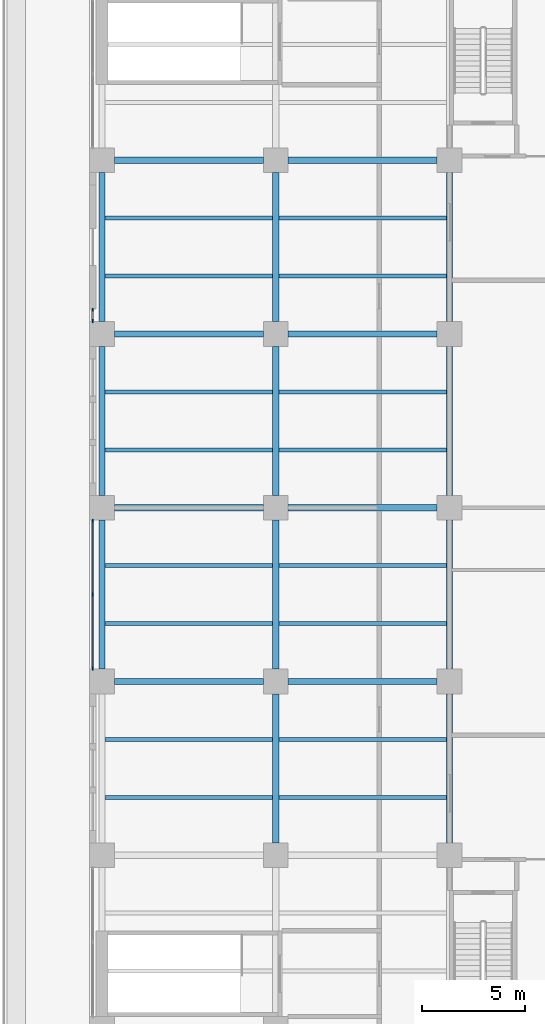
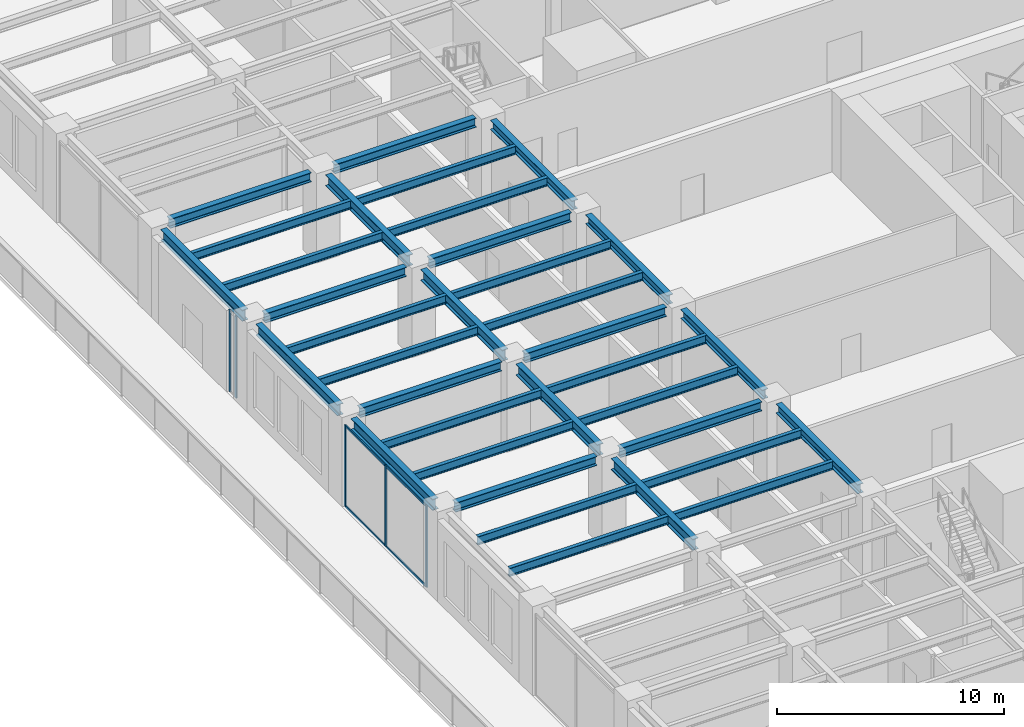
# One storey, part 7 of 53: 35 beams, 9 members, 2 elements without a shape of their own.
"""IFC4 building model written with IfcOpenShell, lengths in metres."""

from ifc_helpers import new_model, si_unit, direction, frame, origin, origin_2d, place, context, subcontext, project, spatial, rectangle, i_section, extrude, material, material_profile, profile_set, type_object, element, aggregate, save


model = new_model("IFC4")

# Units and contexts
model_context = context("Model", 3, precision=1e-05, world=origin(), true_north=direction((0.0, 1.0)))
body_context = subcontext(model_context, "Body", "Model", "MODEL_VIEW")
ifc_project = project(units=[si_unit("LENGTHUNIT", "METRE"), si_unit("AREAUNIT", "SQUARE_METRE"), si_unit("VOLUMEUNIT", "CUBIC_METRE"), si_unit("PLANEANGLEUNIT", "RADIAN"), si_unit("MASSUNIT", "GRAM", prefix="KILO")], contexts=[model_context])

# Site, building, storey
site_placement = place(None, origin())
site = spatial("IfcSite", under=ifc_project, at=site_placement, CompositionType="ELEMENT")
building_placement = place(site_placement, origin())
building = spatial("IfcBuilding", under=site, at=building_placement, Name="Khepri Terraces", CompositionType="ELEMENT")
storey_placement = place(building_placement, frame((0.0, 0.0, 7.199951171875)))
storey = spatial("IfcBuildingStorey", under=building, at=storey_placement, Name="L01", CompositionType="ELEMENT", Elevation=7.199951171875)

# Curtain wall, members
ifc_material_1 = material(Name="Anodised aluminium bronze curtain wall", Category="aluminium")
curtain_wall_type = type_object("IfcCurtainWallType", Name="CW-SYS2-PODIUM", PredefinedType="NOTDEFINED", material=ifc_material_1)
curtain_wall_1_placement = place(storey_placement, origin())
curtain_wall_1 = element("IfcCurtainWall", 1, at=curtain_wall_1_placement, inside=storey, type_object=curtain_wall_type, Name="Curtain wall CW2 L01 W", PredefinedType="NOTDEFINED")
ifc_material_2 = material(Name="Anodised aluminium bronze", Category="aluminium")
ifc_material_profile_1 = material_profile(ifc_material_2, rectangle(XDim=0.06005859375, YDim=0.159912109375, at=origin_2d()), Name="Anodised aluminium bronze", Category="aluminium")
ifc_profile_set_1 = profile_set([ifc_material_profile_1], Name="Anodised aluminium bronze")
member_type_1 = type_object("IfcMemberType", Name="CW-MULLION-60x160", PredefinedType="MULLION", material=ifc_profile_set_1)
member_1_placement = place(storey_placement, frame((-42.449951171875, 9.570068359375, 0.0), z_axis=(0.0, 0.0, 1.0), x_axis=(1.0, 0.0, 0.0)))
member_1 = element("IfcMember", 2, at=member_1_placement, type_object=member_type_1, Name="CW2 mullion 1", PredefinedType="MULLION", context=body_context, shape_type="SweptSolid", body=[
    extrude(rectangle(XDim=0.06005859375, YDim=0.159912109375, at=origin_2d()), origin(), (0.0, 0.0, 1.0), 4.380126953125),
])
member_2_placement = place(storey_placement, frame((-42.449951171875, 9.030029296875, 0.0), z_axis=(0.0, 0.0, 1.0), x_axis=(1.0, 0.0, 0.0)))
member_2 = element("IfcMember", 3, at=member_2_placement, type_object=member_type_1, Name="CW2 mullion 2", PredefinedType="MULLION", context=body_context, shape_type="SweptSolid", body=[
    extrude(rectangle(XDim=0.06005859375, YDim=0.159912109375, at=origin_2d()), origin(), (0.0, 0.0, 1.0), 4.380126953125),
])
aggregate(curtain_wall_1, [member_1, member_2])

curtain_wall_2_placement = place(storey_placement, origin())
curtain_wall_2 = element("IfcCurtainWall", 4, at=curtain_wall_2_placement, inside=storey, type_object=curtain_wall_type, Name="Curtain wall CW2 L01 W", PredefinedType="NOTDEFINED")
member_3_placement = place(storey_placement, frame((-42.449951171875, -0.6298828125, 0.0), z_axis=(0.0, 0.0, 1.0), x_axis=(1.0, 0.0, 0.0)))
member_3 = element("IfcMember", 5, at=member_3_placement, type_object=member_type_1, Name="CW2 mullion 1", PredefinedType="MULLION", context=body_context, shape_type="SweptSolid", body=[
    extrude(rectangle(XDim=0.06005859375, YDim=0.159912109375, at=origin_2d()), origin(), (0.0, 0.0, 1.0), 4.380126953125),
])
member_4_placement = place(storey_placement, frame((-42.449951171875, -4.199951171875, 0.0), z_axis=(0.0, 0.0, 1.0), x_axis=(1.0, 0.0, 0.0)))
member_4 = element("IfcMember", 6, at=member_4_placement, type_object=member_type_1, Name="CW2 mullion 2", PredefinedType="MULLION", context=body_context, shape_type="SweptSolid", body=[
    extrude(rectangle(XDim=0.06005859375, YDim=0.159912109375, at=origin_2d()), origin(), (0.0, 0.0, 1.0), 4.380126953125),
])
member_5_placement = place(storey_placement, frame((-42.449951171875, -7.77001953125, 0.0), z_axis=(0.0, 0.0, 1.0), x_axis=(1.0, 0.0, 0.0)))
member_5 = element("IfcMember", 7, at=member_5_placement, type_object=member_type_1, Name="CW2 mullion 3", PredefinedType="MULLION", context=body_context, shape_type="SweptSolid", body=[
    extrude(rectangle(XDim=0.06005859375, YDim=0.159912109375, at=origin_2d()), origin(), (0.0, 0.0, 1.0), 4.380126953125),
])
ifc_material_profile_2 = material_profile(ifc_material_2, rectangle(XDim=0.06005859375, YDim=0.1201171875, at=origin_2d()), Name="Anodised aluminium bronze", Category="aluminium")
ifc_profile_set_2 = profile_set([ifc_material_profile_2], Name="Anodised aluminium bronze")
member_type_2 = type_object("IfcMemberType", Name="CW-TRANSOM-60x120", PredefinedType="USERDEFINED", material=ifc_profile_set_2)
member_6_placement = place(storey_placement, frame((-42.449951171875, -0.659912109375, 0.030029296875), z_axis=(0.0, -1.0, 0.0), x_axis=(1.0, 0.0, 0.0)))
member_6 = element("IfcMember", 8, at=member_6_placement, type_object=member_type_2, Name="CW2 transom 1.1", ObjectType="TRANSOM", PredefinedType="USERDEFINED", context=body_context, shape_type="SweptSolid", body=[
    extrude(rectangle(XDim=0.06005859375, YDim=0.1201171875, at=origin_2d()), origin(), (0.0, 0.0, 1.0), 3.510009765625),
])
member_7_placement = place(storey_placement, frame((-42.449951171875, -0.659912109375, 4.35009765625), z_axis=(0.0, -1.0, 0.0), x_axis=(1.0, 0.0, 0.0)))
member_7 = element("IfcMember", 9, at=member_7_placement, type_object=member_type_2, Name="CW2 transom 1.2", ObjectType="TRANSOM", PredefinedType="USERDEFINED", context=body_context, shape_type="SweptSolid", body=[
    extrude(rectangle(XDim=0.06005859375, YDim=0.1201171875, at=origin_2d()), origin(), (0.0, 0.0, 1.0), 3.510009765625),
])
member_8_placement = place(storey_placement, frame((-42.449951171875, -4.22998046875, 0.030029296875), z_axis=(0.0, -1.0, 0.0), x_axis=(1.0, 0.0, 0.0)))
member_8 = element("IfcMember", 10, at=member_8_placement, type_object=member_type_2, Name="CW2 transom 2.1", ObjectType="TRANSOM", PredefinedType="USERDEFINED", context=body_context, shape_type="SweptSolid", body=[
    extrude(rectangle(XDim=0.06005859375, YDim=0.1201171875, at=origin_2d()), origin(), (0.0, 0.0, 1.0), 3.510009765625),
])
member_9_placement = place(storey_placement, frame((-42.449951171875, -4.22998046875, 4.35009765625), z_axis=(0.0, -1.0, 0.0), x_axis=(1.0, 0.0, 0.0)))
member_9 = element("IfcMember", 11, at=member_9_placement, type_object=member_type_2, Name="CW2 transom 2.2", ObjectType="TRANSOM", PredefinedType="USERDEFINED", context=body_context, shape_type="SweptSolid", body=[
    extrude(rectangle(XDim=0.06005859375, YDim=0.1201171875, at=origin_2d()), origin(), (0.0, 0.0, 1.0), 3.510009765625),
])
aggregate(curtain_wall_2, [member_3, member_4, member_5, member_6, member_7, member_8, member_9])

# Beams
ifc_material_3 = material(Name="Steel S355", Category="steel")
ifc_material_profile_3 = material_profile(ifc_material_3, i_section(OverallWidth=0.300048828125, OverallDepth=0.60009765625, WebThickness=0.015380859375, FlangeThickness=0.030029296875, FilletRadius=0.027099609375, at=origin_2d()), Name="Steel S355", Category="steel")
ifc_profile_set_3 = profile_set([ifc_material_profile_3], Name="Steel S355")
beam_type_1 = type_object("IfcBeamType", Name="Podium girder L02 HEB 600", PredefinedType="BEAM", material=ifc_profile_set_3)
for number, where, z_axis, x_axis, name in (
    (12, (-42.0, -7.800048828125, 4.300048828125), (0.0, 1.0, 0.0), (-1.0, 0.0, 0.0), "Podium girder L02 005"),
    (13, (-42.0, 0.60009765625, 4.300048828125), (0.0, 1.0, 0.0), (-1.0, 0.0, 0.0), "Podium girder L02 006"),
    (14, (-42.0, 9.0, 4.300048828125), (0.0, 1.0, 0.0), (-1.0, 0.0, 0.0), "Podium girder L02 007"),
    (15, (-33.60009765625, -16.199951171875, 4.300048828125), (0.0, 1.0, 0.0), (-1.0, 0.0, 0.0), "Podium girder L02 014"),
    (16, (-33.60009765625, -7.800048828125, 4.300048828125), (0.0, 1.0, 0.0), (-1.0, 0.0, 0.0), "Podium girder L02 015"),
    (17, (-33.60009765625, 0.60009765625, 4.300048828125), (0.0, 1.0, 0.0), (-1.0, 0.0, 0.0), "Podium girder L02 016"),
    (18, (-33.60009765625, 9.0, 4.300048828125), (0.0, 1.0, 0.0), (-1.0, 0.0, 0.0), "Podium girder L02 017"),
):
    element("IfcBeam", number, at=place(storey_placement, frame(where, z_axis=z_axis, x_axis=x_axis)), inside=storey, type_object=beam_type_1, Name=name, PredefinedType="BEAM", context=body_context, shape_type="SweptSolid", body=[
        extrude(i_section(OverallWidth=0.300048828125, OverallDepth=0.60009765625, WebThickness=0.015380859375, FlangeThickness=0.030029296875, FilletRadius=0.027099609375, at=origin_2d()), origin(), (0.0, 0.0, 1.0), 7.199951171875),
    ])
ifc_material_profile_4 = material_profile(ifc_material_3, i_section(OverallWidth=0.300048828125, OverallDepth=0.5, WebThickness=0.014404296875, FlangeThickness=0.028076171875, FilletRadius=0.027099609375, at=origin_2d()), Name="Steel S355", Category="steel")
ifc_profile_set_4 = profile_set([ifc_material_profile_4], Name="Steel S355")
beam_type_2 = type_object("IfcBeamType", Name="Podium girder L02 grid line HEB 500", PredefinedType="BEAM", material=ifc_profile_set_4)
for number, where, z_axis, x_axis, name in (
    (19, (-41.39990234375, -8.39990234375, 4.35009765625), (1.0, 0.0, 0.0), (0.0, 1.0, 0.0), "Podium grid-line girder L02 089"),
    (20, (-33.0, -8.39990234375, 4.35009765625), (1.0, 0.0, 0.0), (0.0, 1.0, 0.0), "Podium grid-line girder L02 090"),
    (21, (-41.39990234375, 0.0, 4.35009765625), (1.0, 0.0, 0.0), (0.0, 1.0, 0.0), "Podium grid-line girder L02 101"),
    (22, (-33.0, 0.0, 4.35009765625), (1.0, 0.0, 0.0), (0.0, 1.0, 0.0), "Podium grid-line girder L02 102"),
    (23, (-41.39990234375, 8.39990234375, 4.35009765625), (1.0, 0.0, 0.0), (0.0, 1.0, 0.0), "Podium grid-line girder L02 113"),
    (24, (-33.0, 8.39990234375, 4.35009765625), (1.0, 0.0, 0.0), (0.0, 1.0, 0.0), "Podium grid-line girder L02 114"),
    (25, (-41.39990234375, 16.800048828125, 4.35009765625), (1.0, 0.0, 0.0), (0.0, 1.0, 0.0), "Podium grid-line girder L02 125"),
    (26, (-33.0, 16.800048828125, 4.35009765625), (1.0, 0.0, 0.0), (0.0, 1.0, 0.0), "Podium grid-line girder L02 126"),
):
    element("IfcBeam", number, at=place(storey_placement, frame(where, z_axis=z_axis, x_axis=x_axis)), inside=storey, type_object=beam_type_2, Name=name, PredefinedType="BEAM", context=body_context, shape_type="SweptSolid", body=[
        extrude(i_section(OverallWidth=0.300048828125, OverallDepth=0.5, WebThickness=0.014404296875, FlangeThickness=0.028076171875, FilletRadius=0.027099609375, at=origin_2d()), origin(), (0.0, 0.0, 1.0), 7.199951171875),
    ])
ifc_material_profile_5 = material_profile(ifc_material_3, i_section(OverallWidth=0.18994140625, OverallDepth=0.449951171875, WebThickness=0.009521484375, FlangeThickness=0.0146484375, FilletRadius=0.02099609375, at=origin_2d()), Name="Steel S355", Category="steel")
ifc_profile_set_5 = profile_set([ifc_material_profile_5], Name="Steel S355")
beam_type_3 = type_object("IfcBeamType", Name="Podium joist L02 IPE 450", PredefinedType="JOIST", material=ifc_profile_set_5)
beam_1_placement = place(storey_placement, frame((-41.85009765625, -14.0, 4.375), z_axis=(1.0, 0.0, 0.0), x_axis=(0.0, 1.0, 0.0)))
element("IfcBeam", 27, at=beam_1_placement, inside=storey, type_object=beam_type_3, Name="Podium joist L02 081", PredefinedType="JOIST", context=body_context, shape_type="SweptSolid", body=[
    extrude(i_section(OverallWidth=0.18994140625, OverallDepth=0.449951171875, WebThickness=0.009521484375, FlangeThickness=0.0146484375, FilletRadius=0.02099609375, at=origin_2d()), origin(), (0.0, 0.0, 1.0), 8.10009765625),
])
beam_2_placement = place(storey_placement, frame((-33.449951171875, -14.0, 4.375), z_axis=(1.0, 0.0, 0.0), x_axis=(0.0, 1.0, 0.0)))
element("IfcBeam", 28, at=beam_2_placement, inside=storey, type_object=beam_type_3, Name="Podium joist L02 082", PredefinedType="JOIST", context=body_context, shape_type="SweptSolid", body=[
    extrude(i_section(OverallWidth=0.18994140625, OverallDepth=0.449951171875, WebThickness=0.009521484375, FlangeThickness=0.0146484375, FilletRadius=0.02099609375, at=origin_2d()), origin(), (0.0, 0.0, 1.0), 8.099853515625),
])
beam_3_placement = place(storey_placement, frame((-41.85009765625, -11.199951171875, 4.375), z_axis=(1.0, 0.0, 0.0), x_axis=(0.0, 1.0, 0.0)))
element("IfcBeam", 29, at=beam_3_placement, inside=storey, type_object=beam_type_3, Name="Podium joist L02 085", PredefinedType="JOIST", context=body_context, shape_type="SweptSolid", body=[
    extrude(i_section(OverallWidth=0.18994140625, OverallDepth=0.449951171875, WebThickness=0.009521484375, FlangeThickness=0.0146484375, FilletRadius=0.02099609375, at=origin_2d()), origin(), (0.0, 0.0, 1.0), 8.10009765625),
])
beam_4_placement = place(storey_placement, frame((-33.449951171875, -11.199951171875, 4.375), z_axis=(1.0, 0.0, 0.0), x_axis=(0.0, 1.0, 0.0)))
element("IfcBeam", 30, at=beam_4_placement, inside=storey, type_object=beam_type_3, Name="Podium joist L02 086", PredefinedType="JOIST", context=body_context, shape_type="SweptSolid", body=[
    extrude(i_section(OverallWidth=0.18994140625, OverallDepth=0.449951171875, WebThickness=0.009521484375, FlangeThickness=0.0146484375, FilletRadius=0.02099609375, at=origin_2d()), origin(), (0.0, 0.0, 1.0), 8.099853515625),
])
beam_5_placement = place(storey_placement, frame((-41.85009765625, -5.60009765625, 4.375), z_axis=(1.0, 0.0, 0.0), x_axis=(0.0, 1.0, 0.0)))
element("IfcBeam", 31, at=beam_5_placement, inside=storey, type_object=beam_type_3, Name="Podium joist L02 093", PredefinedType="JOIST", context=body_context, shape_type="SweptSolid", body=[
    extrude(i_section(OverallWidth=0.18994140625, OverallDepth=0.449951171875, WebThickness=0.009521484375, FlangeThickness=0.0146484375, FilletRadius=0.02099609375, at=origin_2d()), origin(), (0.0, 0.0, 1.0), 8.10009765625),
])
beam_6_placement = place(storey_placement, frame((-33.449951171875, -5.60009765625, 4.375), z_axis=(1.0, 0.0, 0.0), x_axis=(0.0, 1.0, 0.0)))
element("IfcBeam", 32, at=beam_6_placement, inside=storey, type_object=beam_type_3, Name="Podium joist L02 094", PredefinedType="JOIST", context=body_context, shape_type="SweptSolid", body=[
    extrude(i_section(OverallWidth=0.18994140625, OverallDepth=0.449951171875, WebThickness=0.009521484375, FlangeThickness=0.0146484375, FilletRadius=0.02099609375, at=origin_2d()), origin(), (0.0, 0.0, 1.0), 8.099853515625),
])
beam_7_placement = place(storey_placement, frame((-41.85009765625, -2.800048828125, 4.375), z_axis=(1.0, 0.0, 0.0), x_axis=(0.0, 1.0, 0.0)))
element("IfcBeam", 33, at=beam_7_placement, inside=storey, type_object=beam_type_3, Name="Podium joist L02 097", PredefinedType="JOIST", context=body_context, shape_type="SweptSolid", body=[
    extrude(i_section(OverallWidth=0.18994140625, OverallDepth=0.449951171875, WebThickness=0.009521484375, FlangeThickness=0.0146484375, FilletRadius=0.02099609375, at=origin_2d()), origin(), (0.0, 0.0, 1.0), 8.10009765625),
])
beam_8_placement = place(storey_placement, frame((-33.449951171875, -2.800048828125, 4.375), z_axis=(1.0, 0.0, 0.0), x_axis=(0.0, 1.0, 0.0)))
element("IfcBeam", 34, at=beam_8_placement, inside=storey, type_object=beam_type_3, Name="Podium joist L02 098", PredefinedType="JOIST", context=body_context, shape_type="SweptSolid", body=[
    extrude(i_section(OverallWidth=0.18994140625, OverallDepth=0.449951171875, WebThickness=0.009521484375, FlangeThickness=0.0146484375, FilletRadius=0.02099609375, at=origin_2d()), origin(), (0.0, 0.0, 1.0), 8.099853515625),
])
beam_9_placement = place(storey_placement, frame((-41.85009765625, 2.800048828125, 4.375), z_axis=(1.0, 0.0, 0.0), x_axis=(0.0, 1.0, 0.0)))
element("IfcBeam", 35, at=beam_9_placement, inside=storey, type_object=beam_type_3, Name="Podium joist L02 105", PredefinedType="JOIST", context=body_context, shape_type="SweptSolid", body=[
    extrude(i_section(OverallWidth=0.18994140625, OverallDepth=0.449951171875, WebThickness=0.009521484375, FlangeThickness=0.0146484375, FilletRadius=0.02099609375, at=origin_2d()), origin(), (0.0, 0.0, 1.0), 8.10009765625),
])
beam_10_placement = place(storey_placement, frame((-33.449951171875, 2.800048828125, 4.375), z_axis=(1.0, 0.0, 0.0), x_axis=(0.0, 1.0, 0.0)))
element("IfcBeam", 36, at=beam_10_placement, inside=storey, type_object=beam_type_3, Name="Podium joist L02 106", PredefinedType="JOIST", context=body_context, shape_type="SweptSolid", body=[
    extrude(i_section(OverallWidth=0.18994140625, OverallDepth=0.449951171875, WebThickness=0.009521484375, FlangeThickness=0.0146484375, FilletRadius=0.02099609375, at=origin_2d()), origin(), (0.0, 0.0, 1.0), 8.099853515625),
])
beam_11_placement = place(storey_placement, frame((-41.85009765625, 5.60009765625, 4.375), z_axis=(1.0, 0.0, 0.0), x_axis=(0.0, 1.0, 0.0)))
element("IfcBeam", 37, at=beam_11_placement, inside=storey, type_object=beam_type_3, Name="Podium joist L02 109", PredefinedType="JOIST", context=body_context, shape_type="SweptSolid", body=[
    extrude(i_section(OverallWidth=0.18994140625, OverallDepth=0.449951171875, WebThickness=0.009521484375, FlangeThickness=0.0146484375, FilletRadius=0.02099609375, at=origin_2d()), origin(), (0.0, 0.0, 1.0), 8.10009765625),
])
beam_12_placement = place(storey_placement, frame((-33.449951171875, 5.60009765625, 4.375), z_axis=(1.0, 0.0, 0.0), x_axis=(0.0, 1.0, 0.0)))
element("IfcBeam", 38, at=beam_12_placement, inside=storey, type_object=beam_type_3, Name="Podium joist L02 110", PredefinedType="JOIST", context=body_context, shape_type="SweptSolid", body=[
    extrude(i_section(OverallWidth=0.18994140625, OverallDepth=0.449951171875, WebThickness=0.009521484375, FlangeThickness=0.0146484375, FilletRadius=0.02099609375, at=origin_2d()), origin(), (0.0, 0.0, 1.0), 8.099853515625),
])
beam_13_placement = place(storey_placement, frame((-41.85009765625, 11.199951171875, 4.375), z_axis=(1.0, 0.0, 0.0), x_axis=(0.0, 1.0, 0.0)))
element("IfcBeam", 39, at=beam_13_placement, inside=storey, type_object=beam_type_3, Name="Podium joist L02 117", PredefinedType="JOIST", context=body_context, shape_type="SweptSolid", body=[
    extrude(i_section(OverallWidth=0.18994140625, OverallDepth=0.449951171875, WebThickness=0.009521484375, FlangeThickness=0.0146484375, FilletRadius=0.02099609375, at=origin_2d()), origin(), (0.0, 0.0, 1.0), 8.10009765625),
])
beam_14_placement = place(storey_placement, frame((-33.449951171875, 11.199951171875, 4.375), z_axis=(1.0, 0.0, 0.0), x_axis=(0.0, 1.0, 0.0)))
element("IfcBeam", 40, at=beam_14_placement, inside=storey, type_object=beam_type_3, Name="Podium joist L02 118", PredefinedType="JOIST", context=body_context, shape_type="SweptSolid", body=[
    extrude(i_section(OverallWidth=0.18994140625, OverallDepth=0.449951171875, WebThickness=0.009521484375, FlangeThickness=0.0146484375, FilletRadius=0.02099609375, at=origin_2d()), origin(), (0.0, 0.0, 1.0), 8.099853515625),
])
beam_15_placement = place(storey_placement, frame((-41.85009765625, 14.0, 4.375), z_axis=(1.0, 0.0, 0.0), x_axis=(0.0, 1.0, 0.0)))
element("IfcBeam", 41, at=beam_15_placement, inside=storey, type_object=beam_type_3, Name="Podium joist L02 121", PredefinedType="JOIST", context=body_context, shape_type="SweptSolid", body=[
    extrude(i_section(OverallWidth=0.18994140625, OverallDepth=0.449951171875, WebThickness=0.009521484375, FlangeThickness=0.0146484375, FilletRadius=0.02099609375, at=origin_2d()), origin(), (0.0, 0.0, 1.0), 8.10009765625),
])
beam_16_placement = place(storey_placement, frame((-33.449951171875, 14.0, 4.375), z_axis=(1.0, 0.0, 0.0), x_axis=(0.0, 1.0, 0.0)))
element("IfcBeam", 42, at=beam_16_placement, inside=storey, type_object=beam_type_3, Name="Podium joist L02 122", PredefinedType="JOIST", context=body_context, shape_type="SweptSolid", body=[
    extrude(i_section(OverallWidth=0.18994140625, OverallDepth=0.449951171875, WebThickness=0.009521484375, FlangeThickness=0.0146484375, FilletRadius=0.02099609375, at=origin_2d()), origin(), (0.0, 0.0, 1.0), 8.099853515625),
])
ifc_material_profile_6 = material_profile(ifc_material_3, i_section(OverallWidth=0.300048828125, OverallDepth=0.5, WebThickness=0.014404296875, FlangeThickness=0.028076171875, FilletRadius=0.027099609375, at=origin_2d()), Name="Steel S355", Category="steel")
ifc_profile_set_6 = profile_set([ifc_material_profile_6], Name="Steel S355")
beam_type_4 = type_object("IfcBeamType", Name="Tower ring beam HEB 500", PredefinedType="BEAM", material=ifc_profile_set_6)
for number, where, z_axis, x_axis, name in (
    (43, (-25.199951171875, -16.199951171875, 4.35009765625), (0.0, 1.0, 0.0), (-1.0, 0.0, 0.0), "Ring beam L02 023"),
    (44, (-25.199951171875, -7.800048828125, 4.35009765625), (0.0, 1.0, 0.0), (-1.0, 0.0, 0.0), "Ring beam L02 024"),
    (45, (-25.199951171875, 0.60009765625, 4.35009765625), (0.0, 1.0, 0.0), (-1.0, 0.0, 0.0), "Ring beam L02 025"),
    (46, (-25.199951171875, 9.0, 4.35009765625), (0.0, 1.0, 0.0), (-1.0, 0.0, 0.0), "Ring beam L02 026"),
):
    element("IfcBeam", number, at=place(storey_placement, frame(where, z_axis=z_axis, x_axis=x_axis)), inside=storey, type_object=beam_type_4, Name=name, PredefinedType="BEAM", context=body_context, shape_type="SweptSolid", body=[
        extrude(i_section(OverallWidth=0.300048828125, OverallDepth=0.5, WebThickness=0.014404296875, FlangeThickness=0.028076171875, FilletRadius=0.027099609375, at=origin_2d()), origin(), (0.0, 0.0, 1.0), 7.199951171875),
    ])

save(model, "model.ifc")
